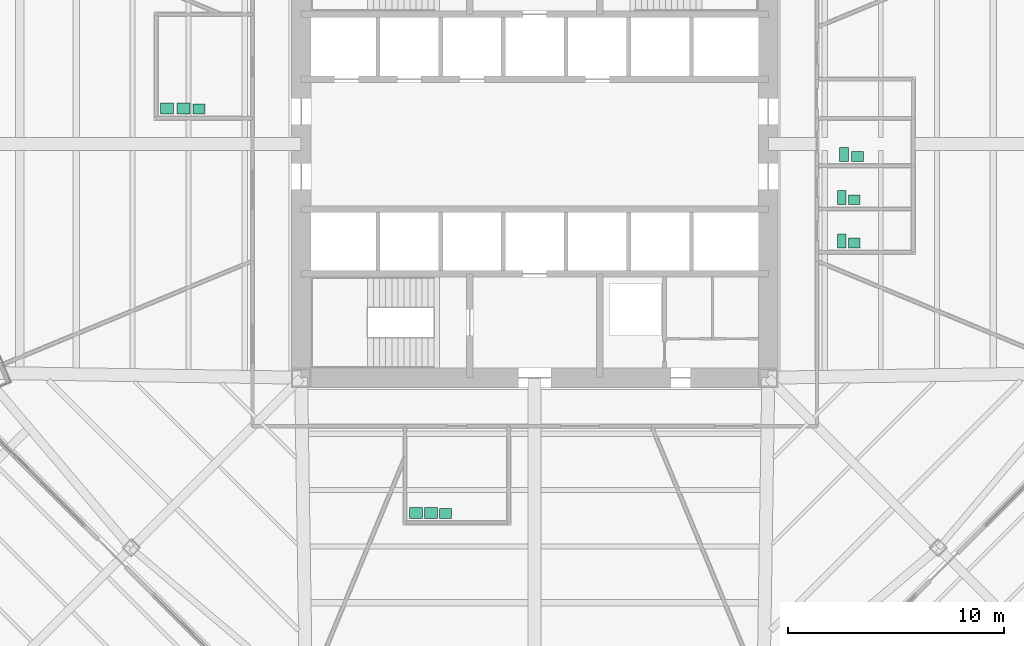
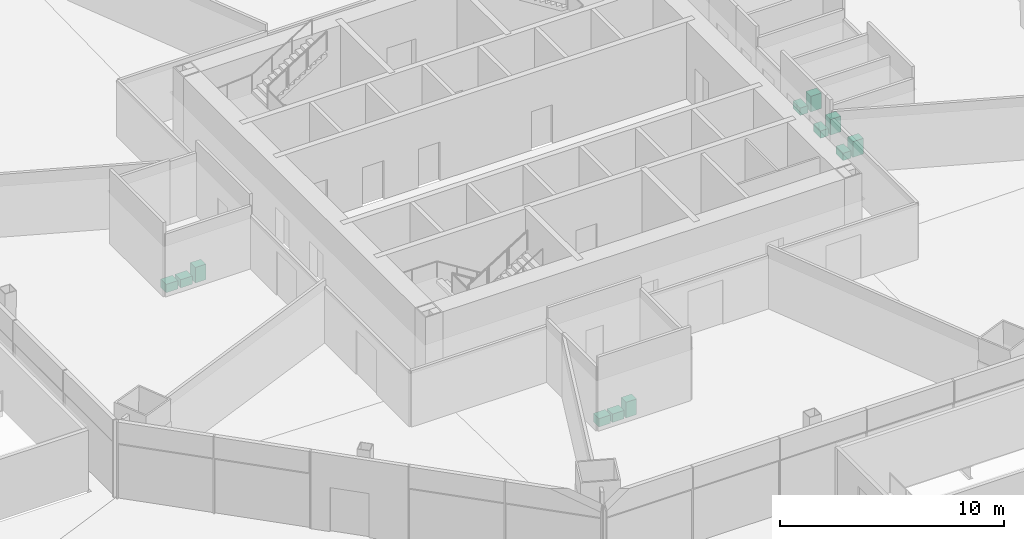
# One storey, part 25 of 25: 12 sanitary terminals.
"""IFC4 building model written with IfcOpenShell, lengths in metres."""

import ifcopenshell
import ifcopenshell.guid

model = None  # the IFC model being written
_history = None  # IfcOwnerHistory: only IFC2X3 demands one
_inside = {}  # id of a spatial element -> (the spatial element, [elements in it])
_under = {}  # id of a project, library or spatial element -> (it, [spatial elements below it])
_declared = {}  # id of a project -> (the project, [libraries it declares])
_typed = {}  # id of a type object -> (the type object, [elements of that type])
_made_of = {}  # id of a material, layer set ... -> (it, [elements and type objects made of it])


def new_model(schema):
    """Start an empty IFC model of exactly this schema.

    Asked for "IFC4X3", IfcOpenShell would pick the latest addendum, in which some entities
    have other attributes; the version numbers below select the first issue.
    IFC2X3 requires an IfcOwnerHistory on every rooted entity: one is made here for all.
    """
    global model, _history
    if schema == "IFC4X3":
        model = ifcopenshell.file(schema_version=(4, 3, 0, 0))
    else:
        model = ifcopenshell.file(schema=schema)
    _inside.clear()
    _under.clear()
    _declared.clear()
    _typed.clear()
    _made_of.clear()
    _history = None
    if model.schema == "IFC2X3":
        org = make("IfcOrganization", Name="unknown")
        user = make(
            "IfcPersonAndOrganization",
            ThePerson=make("IfcPerson", FamilyName="unknown"),
            TheOrganization=org,
        )
        app = make(
            "IfcApplication",
            ApplicationDeveloper=org,
            Version="unknown",
            ApplicationFullName="unknown",
            ApplicationIdentifier="unknown",
        )
        _history = make(
            "IfcOwnerHistory",
            OwningUser=user,
            OwningApplication=app,
            ChangeAction="ADDED",
            CreationDate=0,
        )
    return model


def make(cls, **values):
    """One entity of the class cls with the attributes given. An attribute that is None is left unset."""
    return model.create_entity(
        cls, **{name: value for name, value in values.items() if value is not None}
    )


def rooted(cls, **values):
    """An entity with a GlobalId (a new one), such as an element, a storey or a relation."""
    return make(cls, GlobalId=ifcopenshell.guid.new(), OwnerHistory=_history, **values)


def si_unit(unit_type, name, prefix=None):
    """IfcSIUnit, for example si_unit("LENGTHUNIT", "METRE", prefix="MILLI")."""
    return make("IfcSIUnit", UnitType=unit_type, Prefix=prefix, Name=name)


def assignment(units):
    """IfcUnitAssignment: the units of a project."""
    return None if units is None else make("IfcUnitAssignment", Units=units)


def point(xyz):
    """IfcCartesianPoint."""
    return None if xyz is None else make("IfcCartesianPoint", Coordinates=xyz)


def direction(xyz):
    """IfcDirection."""
    return None if xyz is None else make("IfcDirection", DirectionRatios=xyz)


def frame(location, z_axis=None, x_axis=None):
    """IfcAxis2Placement3D, a coordinate frame: its origin and axes. An axis left out is left unset."""
    return make(
        "IfcAxis2Placement3D",
        Location=point(location),
        Axis=direction(z_axis),
        RefDirection=direction(x_axis),
    )


def frame_2d(location, x_axis=None):
    """IfcAxis2Placement2D, a coordinate frame in the plane: its origin and x axis."""
    return make(
        "IfcAxis2Placement2D", Location=point(location), RefDirection=direction(x_axis)
    )


def origin():
    """The frame at (0, 0, 0) with its axes left unset."""
    return frame((0.0, 0.0, 0.0))


def origin_2d():
    """The frame at (0, 0) in the plane with its x axis left unset."""
    return frame_2d((0.0, 0.0))


def place(relative_to, where):
    """IfcLocalPlacement: puts the frame where relative to a parent placement (None: the world)."""
    return make(
        "IfcLocalPlacement", PlacementRelTo=relative_to, RelativePlacement=where
    )


def context(
    kind, dimensions, precision=None, world=None, true_north=None, identifier=None
):
    """IfcGeometricRepresentationContext, for example the 3D "Model" context."""
    return make(
        "IfcGeometricRepresentationContext",
        ContextIdentifier=identifier,
        ContextType=kind,
        CoordinateSpaceDimension=dimensions,
        Precision=precision,
        WorldCoordinateSystem=world,
        TrueNorth=true_north,
    )


def subcontext(parent, identifier, kind, view, scale=None):
    """IfcGeometricRepresentationSubContext, for example "Body" below "Model"."""
    return make(
        "IfcGeometricRepresentationSubContext",
        ContextIdentifier=identifier,
        ContextType=kind,
        ParentContext=parent,
        TargetScale=scale,
        TargetView=view,
    )


def project(units=None, contexts=None):
    """IfcProject with its units and contexts."""
    return rooted(
        "IfcProject",
        Name="project",
        RepresentationContexts=contexts,
        UnitsInContext=assignment(units),
    )


def spatial(cls, under=None, at=None, **own):
    """A site, building, storey or space (cls), placed at a placement, below another one or the project."""
    s = rooted(cls, ObjectPlacement=at, **own)
    if under is not None:
        _under.setdefault(under.id(), (under, []))[1].append(s)
    return s


def profile(cls, at=None, kind="AREA", **sizes):
    """A parametric profile (cls). Its sizes go by their IFC names, for example OverallWidth=200.0."""
    return make(cls, ProfileType=kind, Position=at, **sizes)


def rectangle(**sizes):
    """IfcRectangleProfileDef."""
    return profile("IfcRectangleProfileDef", **sizes)


def extrude(swept, where, along, depth):
    """IfcExtrudedAreaSolid: the profile swept, set in the frame where, extruded along a direction by depth."""
    return make(
        "IfcExtrudedAreaSolid",
        SweptArea=swept,
        Position=where,
        ExtrudedDirection=direction(along),
        Depth=depth,
    )


def shape(context_of_items, identifier, shape_type, items):
    """IfcShapeRepresentation: the items that make up one representation, for example the "Body"."""
    return make(
        "IfcShapeRepresentation",
        ContextOfItems=context_of_items,
        RepresentationIdentifier=identifier,
        RepresentationType=shape_type,
        Items=items,
    )


def material(Name=None, Category=None):
    """IfcMaterial."""
    return make("IfcMaterial", Name=Name, Category=Category)


def made_of(thing, what):
    """Note that an element or type object is made of a material, layer set ...; save() writes the relation."""
    if what is not None:
        _made_of.setdefault(what.id(), (what, []))[1].append(thing)
    return thing


def type_object(cls, material=None, **own):
    """A type object (cls), such as IfcWallType, which elements share."""
    return made_of(rooted(cls, **own), material)


def element(
    cls,
    number,
    at=None,
    inside=None,
    cuts=None,
    type_object=None,
    material=None,
    context=None,
    identifier="Body",
    shape_type=None,
    held_by="IfcProductDefinitionShape",
    body=None,
    shapes=None,
    **own,
):
    """One element of the class cls, such as IfcWall. Its Tag is "e" and its number.

    at: its placement. inside: the storey or other place that contains it. cuts: it is an
    opening in that element (IfcRelVoidsElement). A single representation is given by context,
    identifier, shape_type and body (its items); several are given by shapes. held_by: the class
    of the entity that holds the representations. save() writes the other relations.
    """
    e = rooted(cls, Tag="e%d" % number, ObjectPlacement=at, **own)
    if body is not None:
        shapes = [shape(context, identifier, shape_type, body)]
    if shapes is not None:
        e.Representation = make(held_by, Representations=shapes)
    if inside is not None:
        _inside.setdefault(inside.id(), (inside, []))[1].append(e)
    if cuts is not None:
        rooted(
            "IfcRelVoidsElement", RelatingBuildingElement=cuts, RelatedOpeningElement=e
        )
    if type_object is not None:
        _typed.setdefault(type_object.id(), (type_object, []))[1].append(e)
    return made_of(e, material)


def aggregate(whole, parts):
    """IfcRelAggregates: a whole, such as a stair, and the parts it consists of."""
    return rooted("IfcRelAggregates", RelatingObject=whole, RelatedObjects=parts)


def save(model, path):
    """Write the relations noted so far, then the file.

    IfcRelAggregates (storeys below a building ...), IfcRelContainedInSpatialStructure (elements
    in a storey), IfcRelDefinesByType, IfcRelAssociatesMaterial and IfcRelDeclares: one each for
    every whole, place, type object, material and project.
    """
    for whole, parts in _under.values():
        aggregate(whole, parts)
    for where, things in _inside.values():
        rooted(
            "IfcRelContainedInSpatialStructure",
            RelatedElements=things,
            RelatingStructure=where,
        )
    for kind, things in _typed.values():
        rooted("IfcRelDefinesByType", RelatedObjects=things, RelatingType=kind)
    for what, things in _made_of.values():
        rooted("IfcRelAssociatesMaterial", RelatedObjects=things, RelatingMaterial=what)
    for by, libraries in _declared.values():
        rooted("IfcRelDeclares", RelatingContext=by, RelatedDefinitions=libraries)
    model.write(path)


model = new_model("IFC4")

# Units and contexts
model_context = context("Model", 3, precision=1e-05, world=origin(), true_north=direction((0.0, 1.0)))
body_context = subcontext(model_context, "Body", "Model", "MODEL_VIEW")
ifc_project = project(units=[si_unit("LENGTHUNIT", "METRE"), si_unit("AREAUNIT", "SQUARE_METRE"), si_unit("VOLUMEUNIT", "CUBIC_METRE"), si_unit("PLANEANGLEUNIT", "RADIAN"), si_unit("MASSUNIT", "GRAM", prefix="KILO")], contexts=[model_context])

# Site, building, storey
site_placement = place(None, origin())
site = spatial("IfcSite", under=ifc_project, at=site_placement, CompositionType="ELEMENT")
building_placement = place(site_placement, origin())
building = spatial("IfcBuilding", under=site, at=building_placement, Name="Mashrafa Tower", CompositionType="ELEMENT")
storey_placement = place(building_placement, frame((0.0, 0.0, 28.800048828125)))
storey = spatial("IfcBuildingStorey", under=building, at=storey_placement, Name="L05", CompositionType="ELEMENT", Elevation=28.800048828125)

# Sanitary terminals
ifc_material_1 = material(Name="Stainless steel", Category="steel")
sanitary_terminal_type_1 = type_object("IfcSanitaryTerminalType", Name="Ablution wash station 600 x 500", PredefinedType="WASHHANDBASIN", material=ifc_material_1)
for number, where, z_axis, x_axis, name in (
    (1, (-17.0, 1.64990234375, 0.0), (0.0, 0.0, 1.0), (1.0, 0.0, 0.0), "Ablution wash station Ablution Room Men L05"),
    (2, (-16.25, 1.64990234375, 0.0), (0.0, 0.0, 1.0), (1.0, 0.0, 0.0), "Ablution wash station Ablution Room Men L05"),
    (3, (-5.5, -17.050048828125, 0.0), (0.0, 0.0, 1.0), (1.0, 0.0, 0.0), "Ablution wash station Ablution Room Women L05"),
    (4, (-4.800048828125, -17.050048828125, 0.0), (0.0, 0.0, 1.0), (1.0, 0.0, 0.0), "Ablution wash station Ablution Room Women L05"),
):
    element("IfcSanitaryTerminal", number, at=place(storey_placement, frame(where, z_axis=z_axis, x_axis=x_axis)), inside=storey, type_object=sanitary_terminal_type_1, Name=name, PredefinedType="WASHHANDBASIN", context=body_context, shape_type="SweptSolid", body=[
        extrude(rectangle(XDim=0.60009765625, YDim=0.5, at=origin_2d()), origin(), (0.0, 0.0, 1.0), 0.449951171875),
    ])
ifc_material_2 = material(Name="Vitreous china")
sanitary_terminal_type_2 = type_object("IfcSanitaryTerminalType", Name="Toilet pan 400 x 650", PredefinedType="TOILETPAN", material=ifc_material_2)
for number, where, z_axis, x_axis, name in (
    (5, (14.199951171875, -4.47509765625, 0.0), (0.0, 0.0, 1.0), (1.0, 0.0, 0.0), "Toilet pan WC Female L05"),
    (6, (14.199951171875, -2.47509765625, 0.0), (0.0, 0.0, 1.0), (1.0, 0.0, 0.0), "Toilet pan WC Male L05"),
    (7, (14.300048828125, -0.47509765625, 0.0), (0.0, 0.0, 1.0), (1.0, 0.0, 0.0), "Toilet pan Accessible WC L05"),
):
    element("IfcSanitaryTerminal", number, at=place(storey_placement, frame(where, z_axis=z_axis, x_axis=x_axis)), inside=storey, type_object=sanitary_terminal_type_2, Name=name, PredefinedType="TOILETPAN", context=body_context, shape_type="SweptSolid", body=[
        extrude(rectangle(XDim=0.39990234375, YDim=0.64990234375, at=origin_2d()), origin(), (0.0, 0.0, 1.0), 0.39990234375),
    ])
ifc_material_3 = material(Name="Vitreous china")
sanitary_terminal_type_3 = type_object("IfcSanitaryTerminalType", Name="Wash basin 550 x 450", PredefinedType="WASHHANDBASIN", material=ifc_material_3)
for number, where, z_axis, x_axis, name in (
    (8, (14.77490234375, -4.574951171875, 0.0), (0.0, 0.0, 1.0), (1.0, 0.0, 0.0), "Wash basin WC Female L05"),
    (9, (14.77490234375, -2.574951171875, 0.0), (0.0, 0.0, 1.0), (1.0, 0.0, 0.0), "Wash basin WC Male L05"),
    (10, (14.925048828125, -0.574951171875, 0.0), (0.0, 0.0, 1.0), (1.0, 0.0, 0.0), "Wash basin Accessible WC L05"),
    (11, (-15.52490234375, 1.625, 0.0), (0.0, 0.0, 1.0), (1.0, 0.0, 0.0), "Wash basin Ablution Room Men L05"),
    (12, (-4.125, -17.074951171875, 0.0), (0.0, 0.0, 1.0), (1.0, 0.0, 0.0), "Wash basin Ablution Room Women L05"),
):
    element("IfcSanitaryTerminal", number, at=place(storey_placement, frame(where, z_axis=z_axis, x_axis=x_axis)), inside=storey, type_object=sanitary_terminal_type_3, Name=name, PredefinedType="WASHHANDBASIN", context=body_context, shape_type="SweptSolid", body=[
        extrude(rectangle(XDim=0.550048828125, YDim=0.449951171875, at=origin_2d()), origin(), (0.0, 0.0, 1.0), 0.85009765625),
    ])

save(model, "model.ifc")
